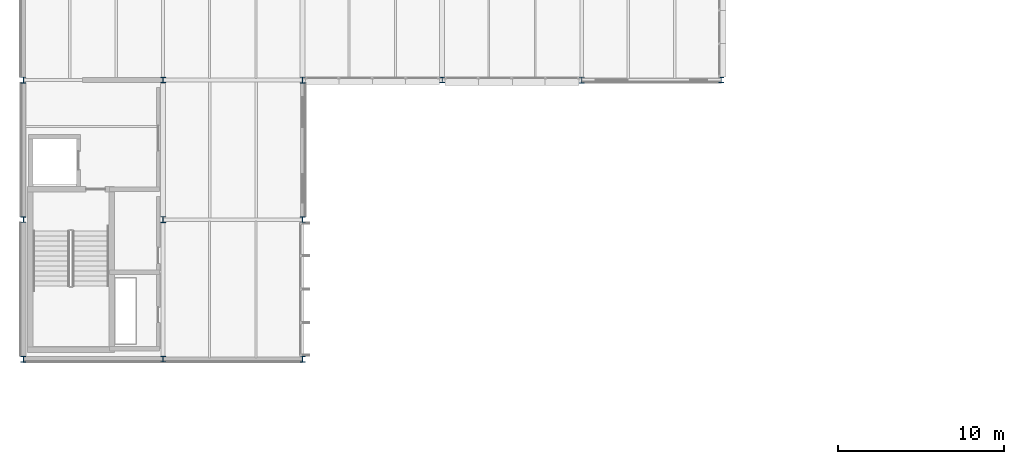
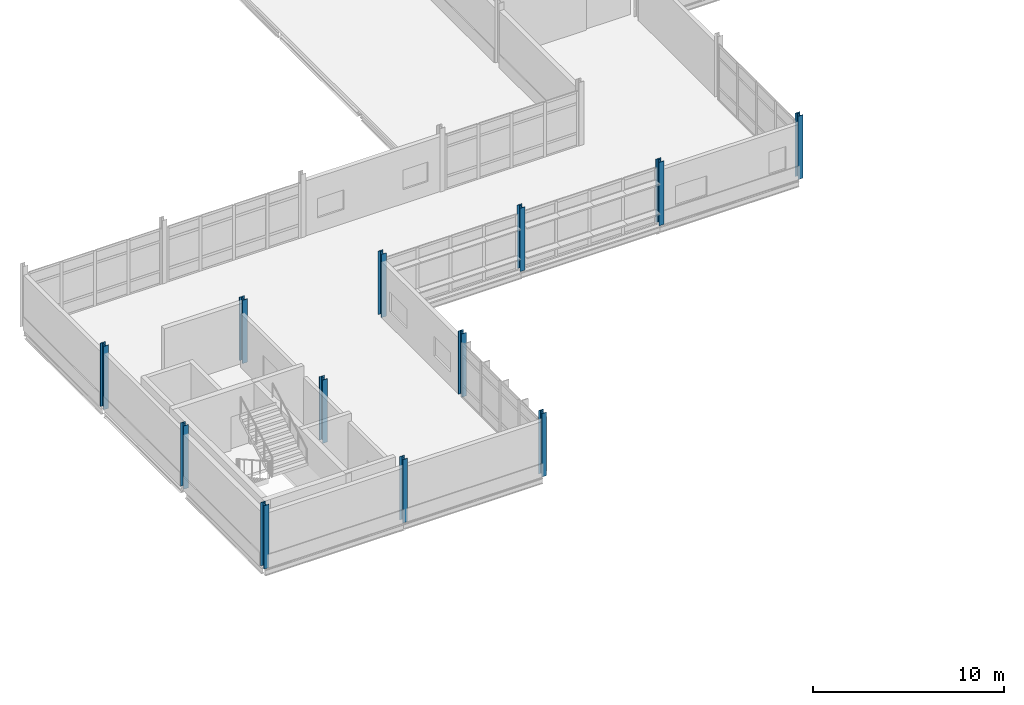
# One storey, part 5 of 131: 12 columns.
"""IFC4 building model written with IfcOpenShell, lengths in metres."""

from ifc_helpers import new_model, si_unit, direction, frame, origin, origin_2d, place, context, subcontext, project, spatial, i_section, extrude, material, material_profile, profile_set, type_object, element, save


model = new_model("IFC4")

# Units and contexts
model_context = context("Model", 3, precision=1e-05, world=origin(), true_north=direction((0.0, 1.0)))
body_context = subcontext(model_context, "Body", "Model", "MODEL_VIEW")
ifc_project = project(units=[si_unit("LENGTHUNIT", "METRE"), si_unit("AREAUNIT", "SQUARE_METRE"), si_unit("VOLUMEUNIT", "CUBIC_METRE"), si_unit("PLANEANGLEUNIT", "RADIAN"), si_unit("MASSUNIT", "GRAM", prefix="KILO")], contexts=[model_context])

# Site, building, storey
site_placement = place(None, origin())
site = spatial("IfcSite", under=ifc_project, at=site_placement, CompositionType="ELEMENT")
building_placement = place(site_placement, origin())
building = spatial("IfcBuilding", under=site, at=building_placement, Name="Mersafa Astral City Hall", CompositionType="ELEMENT")
storey_placement = place(building_placement, frame((0.0, 0.0, 13.949951171875)))
storey = spatial("IfcBuildingStorey", under=building, at=storey_placement, Name="L03", CompositionType="ELEMENT", Elevation=13.949951171875)

# Columns
ifc_material = material(Name="Steel S355", Category="steel")
ifc_material_profile_1 = material_profile(ifc_material, i_section(OverallWidth=0.300048828125, OverallDepth=0.340087890625, WebThickness=0.011962890625, FlangeThickness=0.021484375, FilletRadius=0.027099609375, at=origin_2d()), Name="HEB 340")
ifc_profile_set_1 = profile_set([ifc_material_profile_1], Name="Steel S355")
column_type_1 = type_object("IfcColumnType", Name="STR-COL-HEB340", PredefinedType="COLUMN", material=ifc_profile_set_1)
for number, where, z_axis, x_axis, name in (
    (1, (8.39990234375, 84.0, 0.0), (0.0, 0.0, 1.0), (1.0, 0.0, 0.0), "L03 Structural column G-01-10"),
    (2, (16.800048828125, 75.60009765625, 0.0), (0.0, 0.0, 1.0), (1.0, 0.0, 0.0), "L03 Structural column G-02-09"),
    (3, (16.800048828125, 92.39990234375, 0.0), (0.0, 0.0, 1.0), (1.0, 0.0, 0.0), "L03 Structural column G-02-11"),
    (4, (25.199951171875, 84.0, 0.0), (0.0, 0.0, 1.0), (1.0, 0.0, 0.0), "L03 Structural column G-03-10"),
    (5, (33.60009765625, 92.39990234375, 0.0), (0.0, 0.0, 1.0), (1.0, 0.0, 0.0), "L03 Structural column G-04-11"),
    (6, (50.39990234375, 92.39990234375, 0.0), (0.0, 0.0, 1.0), (1.0, 0.0, 0.0), "L03 Structural column G-06-11"),
):
    element("IfcColumn", number, at=place(storey_placement, frame(where, z_axis=z_axis, x_axis=x_axis)), inside=storey, type_object=column_type_1, Name=name, PredefinedType="COLUMN", context=body_context, shape_type="SweptSolid", body=[
        extrude(i_section(OverallWidth=0.300048828125, OverallDepth=0.340087890625, WebThickness=0.011962890625, FlangeThickness=0.021484375, FilletRadius=0.027099609375, at=origin_2d()), origin(), (0.0, 0.0, 1.0), 4.050048828125),
    ])
ifc_material_profile_2 = material_profile(ifc_material, i_section(OverallWidth=0.300048828125, OverallDepth=0.360107421875, WebThickness=0.012451171875, FlangeThickness=0.0224609375, FilletRadius=0.027099609375, at=origin_2d()), Name="HEB 360")
ifc_profile_set_2 = profile_set([ifc_material_profile_2], Name="Steel S355")
column_type_2 = type_object("IfcColumnType", Name="STR-COL-HEB360", PredefinedType="COLUMN", material=ifc_profile_set_2)
for number, where, z_axis, x_axis, name in (
    (7, (8.39990234375, 75.60009765625, 0.0), (0.0, 0.0, 1.0), (1.0, 0.0, 0.0), "L03 Structural column G-01-09"),
    (8, (8.39990234375, 92.39990234375, 0.0), (0.0, 0.0, 1.0), (1.0, 0.0, 0.0), "L03 Structural column G-01-11"),
    (9, (16.800048828125, 84.0, 0.0), (0.0, 0.0, 1.0), (1.0, 0.0, 0.0), "L03 Structural column G-02-10"),
    (10, (25.199951171875, 75.60009765625, 0.0), (0.0, 0.0, 1.0), (1.0, 0.0, 0.0), "L03 Structural column G-03-09"),
    (11, (25.199951171875, 92.39990234375, 0.0), (0.0, 0.0, 1.0), (1.0, 0.0, 0.0), "L03 Structural column G-03-11"),
    (12, (42.0, 92.39990234375, 0.0), (0.0, 0.0, 1.0), (1.0, 0.0, 0.0), "L03 Structural column G-05-11"),
):
    element("IfcColumn", number, at=place(storey_placement, frame(where, z_axis=z_axis, x_axis=x_axis)), inside=storey, type_object=column_type_2, Name=name, PredefinedType="COLUMN", context=body_context, shape_type="SweptSolid", body=[
        extrude(i_section(OverallWidth=0.300048828125, OverallDepth=0.360107421875, WebThickness=0.012451171875, FlangeThickness=0.0224609375, FilletRadius=0.027099609375, at=origin_2d()), origin(), (0.0, 0.0, 1.0), 4.050048828125),
    ])

save(model, "model.ifc")
